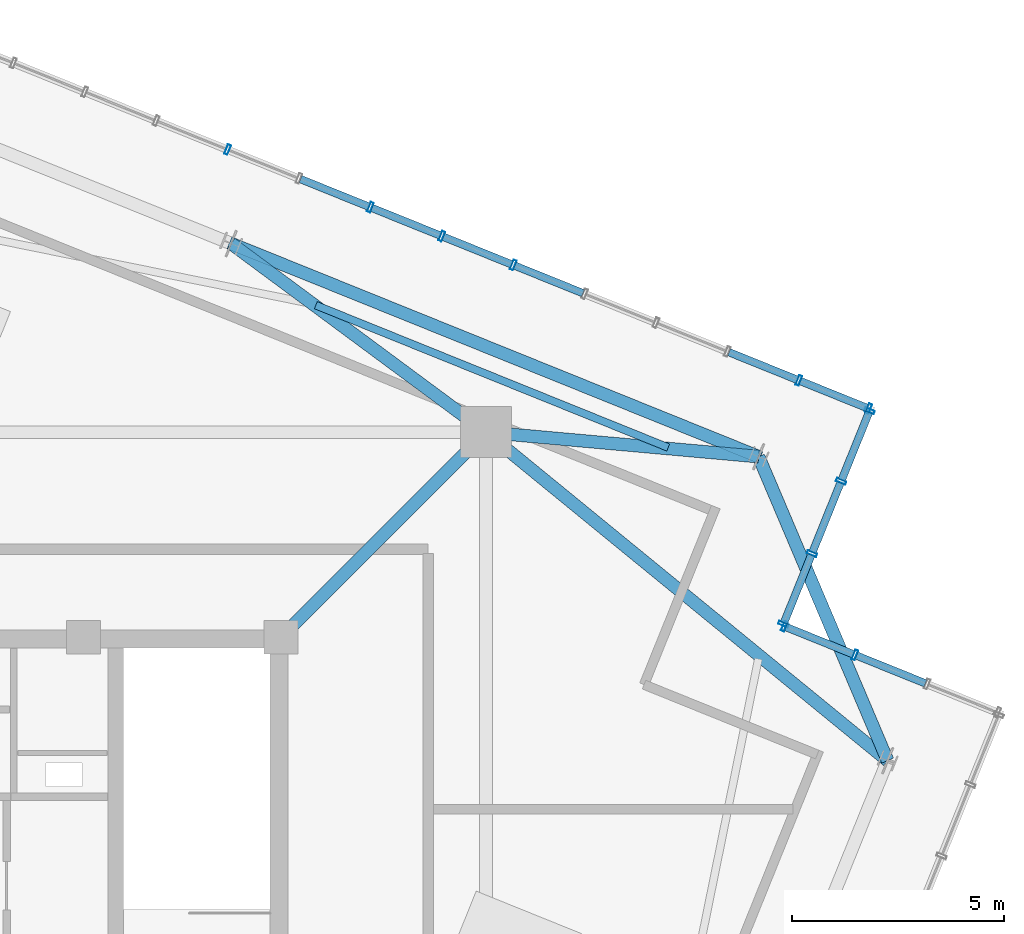
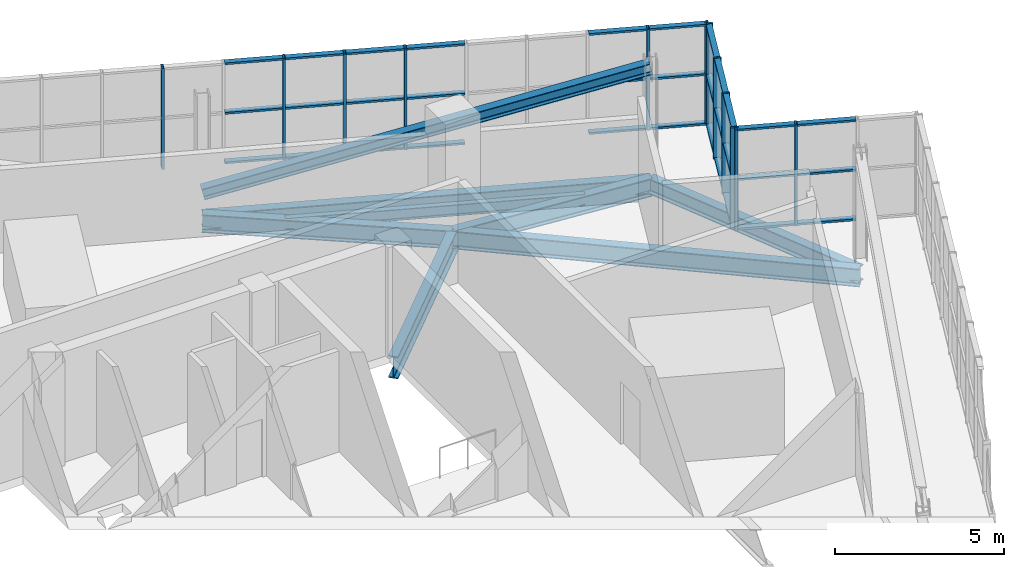
# One storey, part 16 of 26: 46 members, 7 beams, 3 elements without a shape of their own.
"""IFC4 building model written with IfcOpenShell, lengths in metres."""

from ifc_helpers import new_model, si_unit, direction, frame, origin, origin_2d, place, context, subcontext, project, spatial, hollow_rectangle, i_section, extrude, source, transform, mapped, material, layer, layer_set, material_profile, profile_set, type_object, element, aggregate, save


model = new_model("IFC4")

# Units and contexts
model_context = context("Model", 3, precision=1e-05, world=origin(), true_north=direction((0.0, 1.0)))
body_context = subcontext(model_context, "Body", "Model", "MODEL_VIEW")
ifc_project = project(units=[si_unit("LENGTHUNIT", "METRE"), si_unit("AREAUNIT", "SQUARE_METRE"), si_unit("VOLUMEUNIT", "CUBIC_METRE"), si_unit("PLANEANGLEUNIT", "RADIAN"), si_unit("MASSUNIT", "GRAM", prefix="KILO"), si_unit("THERMODYNAMICTEMPERATUREUNIT", "KELVIN")], contexts=[model_context])

# Site, building, storey
site_placement = place(None, origin())
site = spatial("IfcSite", under=ifc_project, at=site_placement, CompositionType="ELEMENT")
building_placement = place(site_placement, origin())
building = spatial("IfcBuilding", under=site, at=building_placement, Name="Kosmvard Interchange Tower", CompositionType="ELEMENT")
storey_placement = place(building_placement, frame((0.0, 0.0, 341.60009765625)))
storey = spatial("IfcBuildingStorey", under=building, at=storey_placement, Name="L84", CompositionType="ELEMENT", Elevation=341.60009765625)

# Beam
ifc_material_1 = material(Name="Steel S355", Category="steel")
ifc_material_profile_1 = material_profile(ifc_material_1, i_section(OverallWidth=0.300048828125, OverallDepth=0.800048828125, WebThickness=0.017578125, FlangeThickness=0.032958984375, FilletRadius=0.027099609375, at=origin_2d()), Name="HEB 800")
ifc_profile_set_1 = profile_set([ifc_material_profile_1], Name="Steel S355")
beam_type_1 = type_object("IfcBeamType", Name="Primary Mega-Frame Girder HEB 800 S355", PredefinedType="BEAM", material=ifc_profile_set_1)
shared_shape_1 = source(origin(), body_context, "Body", "SweptSolid", [
    extrude(i_section(OverallWidth=0.300048828125, OverallDepth=0.800048828125, WebThickness=0.017578125, FlangeThickness=0.032958984375, FilletRadius=0.027099609375, at=origin_2d()), origin(), (0.0, 0.0, 1.0), 6.83203125),
])
beam_1_placement = place(storey_placement, frame((8.25, 8.25, -0.7001953125), z_axis=(0.707106781187, 0.707106781187, 0.0), x_axis=(-0.707106781187, 0.707106781187, 0.0)))
element("IfcBeam", 1, at=beam_1_placement, inside=storey, type_object=beam_type_1, Name="L84 Radial Mega-Frame Girder 3", PredefinedType="BEAM", context=body_context, shape_type="MappedRepresentation", body=[
    mapped(shared_shape_1, transform((0.0, 0.0, 0.0), scale=1.0)),
])

# Member
ifc_material_profile_2 = material_profile(ifc_material_1, i_section(OverallWidth=0.300048828125, OverallDepth=0.39990234375, WebThickness=0.013427734375, FlangeThickness=0.02392578125, FilletRadius=0.027099609375, at=origin_2d()), Name="HEB 400")
ifc_profile_set_2 = profile_set([ifc_material_profile_2], Name="Steel S355")
member_type_1 = type_object("IfcMemberType", Name="Lantern Crown Diagrid Brace HEB 400 S355", PredefinedType="BRACE", material=ifc_profile_set_2)
shared_shape_2 = source(origin(), body_context, "Body", "SweptSolid", [
    extrude(i_section(OverallWidth=0.300048828125, OverallDepth=0.39990234375, WebThickness=0.013427734375, FlangeThickness=0.02392578125, FilletRadius=0.027099609375, at=origin_2d()), origin(), (0.0, 0.0, 1.0), 13.78369140625),
])
member_1_placement = place(storey_placement, frame((7.080078125, 17.523681640625, 0.419921875), z_axis=(0.901373372792, -0.364162635972, 0.234332279859), x_axis=(0.374592580972, 0.927189515839, 0.0)))
element("IfcMember", 2, at=member_1_placement, inside=storey, type_object=member_type_1, Name="L84 Crown Lantern Diagrid Brace E1", PredefinedType="BRACE", context=body_context, shape_type="MappedRepresentation", body=[
    mapped(shared_shape_2, transform((0.0, 0.0, 0.0), scale=1.0)),
])

# Beams
ifc_material_profile_3 = material_profile(ifc_material_1, i_section(OverallWidth=0.300048828125, OverallDepth=0.550048828125, WebThickness=0.014892578125, FlangeThickness=0.029052734375, FilletRadius=0.027099609375, at=origin_2d()), Name="HEB 550")
ifc_profile_set_3 = profile_set([ifc_material_profile_3], Name="Steel S355")
beam_type_2 = type_object("IfcBeamType", Name="Crown Ring Cap Girder HEB 550 S355", PredefinedType="BEAM", material=ifc_profile_set_3)
shared_shape_3 = source(origin(), body_context, "Body", "SweptSolid", [
    extrude(i_section(OverallWidth=0.300048828125, OverallDepth=0.550048828125, WebThickness=0.014892578125, FlangeThickness=0.029052734375, FilletRadius=0.027099609375, at=origin_2d()), origin(), (0.0, 0.0, 1.0), 13.39990234375),
])
beam_2_placement = place(storey_placement, frame((19.50439453125, 12.504150390625, -0.5751953125), z_axis=(-0.927189515839, 0.374592580972, 0.0), x_axis=(-0.374592580972, -0.927189515839, 0.0)))
element("IfcBeam", 3, at=beam_2_placement, inside=storey, type_object=beam_type_2, Name="BM-L84-PR04", PredefinedType="BEAM", context=body_context, shape_type="MappedRepresentation", body=[
    mapped(shared_shape_3, transform((0.0, 0.0, 0.0), scale=1.0)),
])
ifc_material_profile_4 = material_profile(ifc_material_1, i_section(OverallWidth=0.300048828125, OverallDepth=0.64990234375, WebThickness=0.01611328125, FlangeThickness=0.031005859375, FilletRadius=0.027099609375, at=origin_2d()), Name="HEB 650")
ifc_profile_set_4 = profile_set([ifc_material_profile_4], Name="Steel S355")
beam_type_3 = type_object("IfcBeamType", Name="Primary Floor Girder HEB 650 S355", PredefinedType="BEAM", material=ifc_profile_set_4)
shared_shape_4 = source(origin(), body_context, "Body", "SweptSolid", [
    extrude(i_section(OverallWidth=0.300048828125, OverallDepth=0.64990234375, WebThickness=0.01611328125, FlangeThickness=0.031005859375, FilletRadius=0.027099609375, at=origin_2d()), origin(), (0.0, 0.0, 1.0), 6.44921875),
])
beam_3_placement = place(storey_placement, frame((13.0810546875, 13.0810546875, -0.625), z_axis=(0.995990982197, -0.089453694068, 0.0), x_axis=(0.089453694068, 0.995990982197, 0.0)))
element("IfcBeam", 4, at=beam_3_placement, inside=storey, type_object=beam_type_3, Name="BM-L84-RD04", PredefinedType="BEAM", context=body_context, shape_type="MappedRepresentation", body=[
    mapped(shared_shape_4, transform((0.0, 0.0, 0.0), scale=1.0)),
])
shared_shape_5 = source(origin(), body_context, "Body", "SweptSolid", [
    extrude(i_section(OverallWidth=0.300048828125, OverallDepth=0.64990234375, WebThickness=0.01611328125, FlangeThickness=0.031005859375, FilletRadius=0.027099609375, at=origin_2d()), origin(), (0.0, 0.0, 1.0), 7.466552734375),
])
beam_4_placement = place(storey_placement, frame((13.0810546875, 13.0810546875, -0.625), z_axis=(-0.803719929879, 0.595007793491, 0.0), x_axis=(-0.595007793491, -0.803719929879, 0.0)))
element("IfcBeam", 5, at=beam_4_placement, inside=storey, type_object=beam_type_3, Name="BM-L84-RD05", PredefinedType="BEAM", context=body_context, shape_type="MappedRepresentation", body=[
    mapped(shared_shape_5, transform((0.0, 0.0, 0.0), scale=1.0)),
])
shared_shape_6 = source(origin(), body_context, "Body", "SweptSolid", [
    extrude(i_section(OverallWidth=0.300048828125, OverallDepth=0.550048828125, WebThickness=0.014892578125, FlangeThickness=0.029052734375, FilletRadius=0.027099609375, at=origin_2d()), origin(), (0.0, 0.0, 1.0), 7.778076171875),
])
beam_5_placement = place(storey_placement, frame((22.54345703125, 5.34423828125, -0.5751953125), z_axis=(-0.39071589075, 0.92051132134, 0.0), x_axis=(-0.92051132134, -0.39071589075, 0.0)))
element("IfcBeam", 6, at=beam_5_placement, inside=storey, type_object=beam_type_2, Name="BM-L84-PR03", PredefinedType="BEAM", context=body_context, shape_type="MappedRepresentation", body=[
    mapped(shared_shape_6, transform((0.0, 0.0, 0.0), scale=1.0)),
])
shared_shape_7 = source(origin(), body_context, "Body", "SweptSolid", [
    extrude(i_section(OverallWidth=0.300048828125, OverallDepth=0.64990234375, WebThickness=0.01611328125, FlangeThickness=0.031005859375, FilletRadius=0.027099609375, at=origin_2d()), origin(), (0.0, 0.0, 1.0), 12.22265625),
])
beam_6_placement = place(storey_placement, frame((13.0810546875, 13.0810546875, -0.625), z_axis=(0.774163725034, -0.632985408079, 0.0), x_axis=(0.632985408079, 0.774163725034, 0.0)))
element("IfcBeam", 7, at=beam_6_placement, inside=storey, type_object=beam_type_3, Name="BM-L84-RD03", PredefinedType="BEAM", context=body_context, shape_type="MappedRepresentation", body=[
    mapped(shared_shape_7, transform((0.0, 0.0, 0.0), scale=1.0)),
])
ifc_material_profile_5 = material_profile(ifc_material_1, i_section(OverallWidth=0.179931640625, OverallDepth=0.39990234375, WebThickness=0.008544921875, FlangeThickness=0.013427734375, FilletRadius=0.02099609375, at=origin_2d()), Name="IPE 400")
ifc_profile_set_5 = profile_set([ifc_material_profile_5], Name="Steel S355")
beam_type_4 = type_object("IfcBeamType", Name="Upper-Zone Floor Joist IPE 400 S355", PredefinedType="JOIST", material=ifc_profile_set_5)
shared_shape_8 = source(origin(), body_context, "Body", "SweptSolid", [
    extrude(i_section(OverallWidth=0.179931640625, OverallDepth=0.39990234375, WebThickness=0.008544921875, FlangeThickness=0.013427734375, FilletRadius=0.02099609375, at=origin_2d()), origin(), (0.0, 0.0, 1.0), 8.9521484375),
])
beam_7_placement = place(storey_placement, frame((17.374755859375, 12.71875, -0.5), z_axis=(-0.927194118723, 0.374581187736, 0.0), x_axis=(-0.374581187736, -0.927194118723, 0.0)))
element("IfcBeam", 8, at=beam_7_placement, inside=storey, type_object=beam_type_4, Name="BM-L84-FJ03", PredefinedType="JOIST", context=body_context, shape_type="MappedRepresentation", body=[
    mapped(shared_shape_8, transform((0.0, 0.0, 0.0), scale=1.0)),
])

# Curtain wall, members
ifc_material_2 = material(Name="Architectural anodised aluminium", Category="aluminium")
ifc_layer = layer(ifc_material_2, 0.25, Name="Architectural anodised aluminium")
ifc_layer_set = layer_set([ifc_layer], Name="Architectural anodised aluminium")
curtain_wall_type = type_object("IfcCurtainWallType", Name="CW-6 Illuminated Crown Lantern Curtain Wall", PredefinedType="NOTDEFINED", material=ifc_layer_set)
curtain_wall_1_placement = place(storey_placement, origin())
curtain_wall_1 = element("IfcCurtainWall", 9, at=curtain_wall_1_placement, inside=storey, type_object=curtain_wall_type, Name="L84 Crown Lantern Glazing Face 04", PredefinedType="NOTDEFINED")
ifc_material_profile_6 = material_profile(ifc_material_2, hollow_rectangle(XDim=0.179931640625, YDim=0.070068359375, WallThickness=0.0048828125, at=origin_2d()), Name="CWT 180x70x5")
ifc_profile_set_6 = profile_set([ifc_material_profile_6], Name="Architectural anodised aluminium")
member_type_2 = type_object("IfcMemberType", Name="Heavy Lantern CW Transom 180x70 Aluminium", PredefinedType="USERDEFINED", material=ifc_profile_set_6)
shared_shape_9 = source(origin(), body_context, "Body", "SweptSolid", [
    extrude(hollow_rectangle(XDim=0.179931640625, YDim=0.070068359375, WallThickness=0.0048828125, at=origin_2d()), origin(), (0.0, 0.0, 1.0), 1.694091796875),
])
member_2_placement = place(storey_placement, frame((22.059814453125, 13.650146484375, 0.034912109375), z_axis=(-0.927159064032, 0.374667946298, 0.0), x_axis=(-0.374667946298, -0.927159064032, 0.0)))
member_2 = element("IfcMember", 10, at=member_2_placement, type_object=member_type_2, Name="CW-6 transom 1.1", ObjectType="TRANSOM", PredefinedType="USERDEFINED", context=body_context, shape_type="MappedRepresentation", body=[
    mapped(shared_shape_9, transform((0.0, 0.0, 0.0), scale=1.0)),
])
member_3_placement = place(storey_placement, frame((22.059814453125, 13.650146484375, 1.824951171875), z_axis=(-0.927159064032, 0.374667946298, 0.0), x_axis=(-0.374667946298, -0.927159064032, 0.0)))
member_3 = element("IfcMember", 11, at=member_3_placement, type_object=member_type_2, Name="CW-6 transom 1.2", ObjectType="TRANSOM", PredefinedType="USERDEFINED", context=body_context, shape_type="MappedRepresentation", body=[
    mapped(shared_shape_9, transform((0.0, 0.0, 0.0), scale=1.0)),
])
member_4_placement = place(storey_placement, frame((22.059814453125, 13.650146484375, 3.614990234375), z_axis=(-0.927159064032, 0.374667946298, 0.0), x_axis=(-0.374667946298, -0.927159064032, 0.0)))
member_4 = element("IfcMember", 12, at=member_4_placement, type_object=member_type_2, Name="CW-6 transom 1.3", ObjectType="TRANSOM", PredefinedType="USERDEFINED", context=body_context, shape_type="MappedRepresentation", body=[
    mapped(shared_shape_9, transform((0.0, 0.0, 0.0), scale=1.0)),
])
shared_shape_10 = source(origin(), body_context, "Body", "SweptSolid", [
    extrude(hollow_rectangle(XDim=0.179931640625, YDim=0.070068359375, WallThickness=0.0048828125, at=origin_2d()), origin(), (0.0, 0.0, 1.0), 1.734130859375),
])
member_5_placement = place(storey_placement, frame((20.414794921875, 14.314697265625, 0.034912109375), z_axis=(-0.927179782522, 0.374616671924, 0.0), x_axis=(-0.374616671924, -0.927179782522, 0.0)))
member_5 = element("IfcMember", 13, at=member_5_placement, type_object=member_type_2, Name="CW-6 transom 2.1", ObjectType="TRANSOM", PredefinedType="USERDEFINED", context=body_context, shape_type="MappedRepresentation", body=[
    mapped(shared_shape_10, transform((0.0, 0.0, 0.0), scale=1.0)),
])
member_6_placement = place(storey_placement, frame((20.414794921875, 14.314697265625, 1.824951171875), z_axis=(-0.927179782522, 0.374616671924, 0.0), x_axis=(-0.374616671924, -0.927179782522, 0.0)))
member_6 = element("IfcMember", 14, at=member_6_placement, type_object=member_type_2, Name="CW-6 transom 2.2", ObjectType="TRANSOM", PredefinedType="USERDEFINED", context=body_context, shape_type="MappedRepresentation", body=[
    mapped(shared_shape_10, transform((0.0, 0.0, 0.0), scale=1.0)),
])
member_7_placement = place(storey_placement, frame((20.414794921875, 14.314697265625, 3.614990234375), z_axis=(-0.927179782522, 0.374616671924, 0.0), x_axis=(-0.374616671924, -0.927179782522, 0.0)))
member_7 = element("IfcMember", 15, at=member_7_placement, type_object=member_type_2, Name="CW-6 transom 2.3", ObjectType="TRANSOM", PredefinedType="USERDEFINED", context=body_context, shape_type="MappedRepresentation", body=[
    mapped(shared_shape_10, transform((0.0, 0.0, 0.0), scale=1.0)),
])
member_8_placement = place(storey_placement, frame((15.368896484375, 16.353515625, 0.034912109375), z_axis=(-0.927179782522, 0.374616671924, 0.0), x_axis=(-0.374616671924, -0.927179782522, 0.0)))
member_8 = element("IfcMember", 16, at=member_8_placement, type_object=member_type_2, Name="CW-6 transom 5.1", ObjectType="TRANSOM", PredefinedType="USERDEFINED", context=body_context, shape_type="MappedRepresentation", body=[
    mapped(shared_shape_10, transform((0.0, 0.0, 0.0), scale=1.0)),
])
member_9_placement = place(storey_placement, frame((15.368896484375, 16.353515625, 1.824951171875), z_axis=(-0.927179782522, 0.374616671924, 0.0), x_axis=(-0.374616671924, -0.927179782522, 0.0)))
member_9 = element("IfcMember", 17, at=member_9_placement, type_object=member_type_2, Name="CW-6 transom 5.2", ObjectType="TRANSOM", PredefinedType="USERDEFINED", context=body_context, shape_type="MappedRepresentation", body=[
    mapped(shared_shape_10, transform((0.0, 0.0, 0.0), scale=1.0)),
])
member_10_placement = place(storey_placement, frame((15.368896484375, 16.353515625, 3.614990234375), z_axis=(-0.927179782522, 0.374616671924, 0.0), x_axis=(-0.374616671924, -0.927179782522, 0.0)))
member_10 = element("IfcMember", 18, at=member_10_placement, type_object=member_type_2, Name="CW-6 transom 5.3", ObjectType="TRANSOM", PredefinedType="USERDEFINED", context=body_context, shape_type="MappedRepresentation", body=[
    mapped(shared_shape_10, transform((0.0, 0.0, 0.0), scale=1.0)),
])
member_11_placement = place(storey_placement, frame((13.686767578125, 17.033203125, 0.034912109375), z_axis=(-0.927179782522, 0.374616671924, 0.0), x_axis=(-0.374616671924, -0.927179782522, 0.0)))
member_11 = element("IfcMember", 19, at=member_11_placement, type_object=member_type_2, Name="CW-6 transom 6.1", ObjectType="TRANSOM", PredefinedType="USERDEFINED", context=body_context, shape_type="MappedRepresentation", body=[
    mapped(shared_shape_10, transform((0.0, 0.0, 0.0), scale=1.0)),
])
member_12_placement = place(storey_placement, frame((13.686767578125, 17.033203125, 1.824951171875), z_axis=(-0.927179782522, 0.374616671924, 0.0), x_axis=(-0.374616671924, -0.927179782522, 0.0)))
member_12 = element("IfcMember", 20, at=member_12_placement, type_object=member_type_2, Name="CW-6 transom 6.2", ObjectType="TRANSOM", PredefinedType="USERDEFINED", context=body_context, shape_type="MappedRepresentation", body=[
    mapped(shared_shape_10, transform((0.0, 0.0, 0.0), scale=1.0)),
])
member_13_placement = place(storey_placement, frame((13.686767578125, 17.033203125, 3.614990234375), z_axis=(-0.927179782522, 0.374616671924, 0.0), x_axis=(-0.374616671924, -0.927179782522, 0.0)))
member_13 = element("IfcMember", 21, at=member_13_placement, type_object=member_type_2, Name="CW-6 transom 6.3", ObjectType="TRANSOM", PredefinedType="USERDEFINED", context=body_context, shape_type="MappedRepresentation", body=[
    mapped(shared_shape_10, transform((0.0, 0.0, 0.0), scale=1.0)),
])
member_14_placement = place(storey_placement, frame((10.32275390625, 18.392333984375, 0.034912109375), z_axis=(-0.927179782522, 0.374616671924, 0.0), x_axis=(-0.374616671924, -0.927179782522, 0.0)))
member_14 = element("IfcMember", 22, at=member_14_placement, type_object=member_type_2, Name="CW-6 transom 8.1", ObjectType="TRANSOM", PredefinedType="USERDEFINED", context=body_context, shape_type="MappedRepresentation", body=[
    mapped(shared_shape_10, transform((0.0, 0.0, 0.0), scale=1.0)),
])
member_15_placement = place(storey_placement, frame((10.32275390625, 18.392333984375, 1.824951171875), z_axis=(-0.927179782522, 0.374616671924, 0.0), x_axis=(-0.374616671924, -0.927179782522, 0.0)))
member_15 = element("IfcMember", 23, at=member_15_placement, type_object=member_type_2, Name="CW-6 transom 8.2", ObjectType="TRANSOM", PredefinedType="USERDEFINED", context=body_context, shape_type="MappedRepresentation", body=[
    mapped(shared_shape_10, transform((0.0, 0.0, 0.0), scale=1.0)),
])
member_16_placement = place(storey_placement, frame((10.32275390625, 18.392333984375, 3.614990234375), z_axis=(-0.927179782522, 0.374616671924, 0.0), x_axis=(-0.374616671924, -0.927179782522, 0.0)))
member_16 = element("IfcMember", 24, at=member_16_placement, type_object=member_type_2, Name="CW-6 transom 8.3", ObjectType="TRANSOM", PredefinedType="USERDEFINED", context=body_context, shape_type="MappedRepresentation", body=[
    mapped(shared_shape_10, transform((0.0, 0.0, 0.0), scale=1.0)),
])
shared_shape_11 = source(origin(), body_context, "Body", "SweptSolid", [
    extrude(hollow_rectangle(XDim=0.179931640625, YDim=0.070068359375, WallThickness=0.0048828125, at=origin_2d()), origin(), (0.0, 0.0, 1.0), 1.73388671875),
])
member_17_placement = place(storey_placement, frame((12.004638671875, 17.712646484375, 0.034912109375), z_axis=(-0.927160021861, 0.374665576032, 0.0), x_axis=(-0.374665576032, -0.927160021861, 0.0)))
member_17 = element("IfcMember", 25, at=member_17_placement, type_object=member_type_2, Name="CW-6 transom 7.1", ObjectType="TRANSOM", PredefinedType="USERDEFINED", context=body_context, shape_type="MappedRepresentation", body=[
    mapped(shared_shape_11, transform((0.0, 0.0, 0.0), scale=1.0)),
])
member_18_placement = place(storey_placement, frame((12.004638671875, 17.712646484375, 1.824951171875), z_axis=(-0.927160021861, 0.374665576032, 0.0), x_axis=(-0.374665576032, -0.927160021861, 0.0)))
member_18 = element("IfcMember", 26, at=member_18_placement, type_object=member_type_2, Name="CW-6 transom 7.2", ObjectType="TRANSOM", PredefinedType="USERDEFINED", context=body_context, shape_type="MappedRepresentation", body=[
    mapped(shared_shape_11, transform((0.0, 0.0, 0.0), scale=1.0)),
])
member_19_placement = place(storey_placement, frame((12.004638671875, 17.712646484375, 3.614990234375), z_axis=(-0.927160021861, 0.374665576032, 0.0), x_axis=(-0.374665576032, -0.927160021861, 0.0)))
member_19 = element("IfcMember", 27, at=member_19_placement, type_object=member_type_2, Name="CW-6 transom 7.3", ObjectType="TRANSOM", PredefinedType="USERDEFINED", context=body_context, shape_type="MappedRepresentation", body=[
    mapped(shared_shape_11, transform((0.0, 0.0, 0.0), scale=1.0)),
])

curtain_wall_2_placement = place(storey_placement, origin())
curtain_wall_2 = element("IfcCurtainWall", 28, at=curtain_wall_2_placement, inside=storey, type_object=curtain_wall_type, Name="L84 Crown Lantern Glazing Face 02", PredefinedType="NOTDEFINED")
shared_shape_12 = source(origin(), body_context, "Body", "SweptSolid", [
    extrude(hollow_rectangle(XDim=0.179931640625, YDim=0.070068359375, WallThickness=0.0048828125, at=origin_2d()), origin(), (0.0, 0.0, 1.0), 1.71337890625),
])
member_20_placement = place(storey_placement, frame((21.736328125, 7.848876953125, 0.034912109375), z_axis=(-0.927183787829, 0.374606758599, 0.0), x_axis=(-0.374606758599, -0.927183787829, 0.0)))
member_20 = element("IfcMember", 29, at=member_20_placement, type_object=member_type_2, Name="CW-6 transom 3.1", ObjectType="TRANSOM", PredefinedType="USERDEFINED", context=body_context, shape_type="MappedRepresentation", body=[
    mapped(shared_shape_12, transform((0.0, 0.0, 0.0), scale=1.0)),
])
member_21_placement = place(storey_placement, frame((21.736328125, 7.848876953125, 1.824951171875), z_axis=(-0.927183787829, 0.374606758599, 0.0), x_axis=(-0.374606758599, -0.927183787829, 0.0)))
member_21 = element("IfcMember", 30, at=member_21_placement, type_object=member_type_2, Name="CW-6 transom 3.2", ObjectType="TRANSOM", PredefinedType="USERDEFINED", context=body_context, shape_type="MappedRepresentation", body=[
    mapped(shared_shape_12, transform((0.0, 0.0, 0.0), scale=1.0)),
])
member_22_placement = place(storey_placement, frame((21.736328125, 7.848876953125, 3.614990234375), z_axis=(-0.927183787829, 0.374606758599, 0.0), x_axis=(-0.374606758599, -0.927183787829, 0.0)))
member_22 = element("IfcMember", 31, at=member_22_placement, type_object=member_type_2, Name="CW-6 transom 3.3", ObjectType="TRANSOM", PredefinedType="USERDEFINED", context=body_context, shape_type="MappedRepresentation", body=[
    mapped(shared_shape_12, transform((0.0, 0.0, 0.0), scale=1.0)),
])

curtain_wall_3_placement = place(storey_placement, origin())
curtain_wall_3 = element("IfcCurtainWall", 32, at=curtain_wall_3_placement, inside=storey, type_object=curtain_wall_type, Name="L84 Crown Lantern Glazing Face 03", PredefinedType="NOTDEFINED")
member_23_placement = place(storey_placement, frame((20.103515625, 8.594970703125, 0.034912109375), z_axis=(0.374606758599, 0.927183787829, 0.0), x_axis=(-0.927183787829, 0.374606758599, 0.0)))
member_23 = element("IfcMember", 33, at=member_23_placement, type_object=member_type_2, Name="CW-6 transom 1.1", ObjectType="TRANSOM", PredefinedType="USERDEFINED", context=body_context, shape_type="MappedRepresentation", body=[
    mapped(shared_shape_12, transform((0.0, 0.0, 0.0), scale=1.0)),
])
member_24_placement = place(storey_placement, frame((20.103515625, 8.594970703125, 1.824951171875), z_axis=(0.374606758599, 0.927183787829, 0.0), x_axis=(-0.927183787829, 0.374606758599, 0.0)))
member_24 = element("IfcMember", 34, at=member_24_placement, type_object=member_type_2, Name="CW-6 transom 1.2", ObjectType="TRANSOM", PredefinedType="USERDEFINED", context=body_context, shape_type="MappedRepresentation", body=[
    mapped(shared_shape_12, transform((0.0, 0.0, 0.0), scale=1.0)),
])
member_25_placement = place(storey_placement, frame((20.103515625, 8.594970703125, 3.614990234375), z_axis=(0.374606758599, 0.927183787829, 0.0), x_axis=(-0.927183787829, 0.374606758599, 0.0)))
member_25 = element("IfcMember", 35, at=member_25_placement, type_object=member_type_2, Name="CW-6 transom 1.3", ObjectType="TRANSOM", PredefinedType="USERDEFINED", context=body_context, shape_type="MappedRepresentation", body=[
    mapped(shared_shape_12, transform((0.0, 0.0, 0.0), scale=1.0)),
])
member_26_placement = place(storey_placement, frame((21.462158203125, 11.95751953125, 0.034912109375), z_axis=(0.374606758599, 0.927183787829, 0.0), x_axis=(-0.927183787829, 0.374606758599, 0.0)))
member_26 = element("IfcMember", 36, at=member_26_placement, type_object=member_type_2, Name="CW-6 transom 3.1", ObjectType="TRANSOM", PredefinedType="USERDEFINED", context=body_context, shape_type="MappedRepresentation", body=[
    mapped(shared_shape_12, transform((0.0, 0.0, 0.0), scale=1.0)),
])
member_27_placement = place(storey_placement, frame((21.462158203125, 11.95751953125, 1.824951171875), z_axis=(0.374606758599, 0.927183787829, 0.0), x_axis=(-0.927183787829, 0.374606758599, 0.0)))
member_27 = element("IfcMember", 37, at=member_27_placement, type_object=member_type_2, Name="CW-6 transom 3.2", ObjectType="TRANSOM", PredefinedType="USERDEFINED", context=body_context, shape_type="MappedRepresentation", body=[
    mapped(shared_shape_12, transform((0.0, 0.0, 0.0), scale=1.0)),
])
member_28_placement = place(storey_placement, frame((21.462158203125, 11.95751953125, 3.614990234375), z_axis=(0.374606758599, 0.927183787829, 0.0), x_axis=(-0.927183787829, 0.374606758599, 0.0)))
member_28 = element("IfcMember", 38, at=member_28_placement, type_object=member_type_2, Name="CW-6 transom 3.3", ObjectType="TRANSOM", PredefinedType="USERDEFINED", context=body_context, shape_type="MappedRepresentation", body=[
    mapped(shared_shape_12, transform((0.0, 0.0, 0.0), scale=1.0)),
])

# Member
shared_shape_13 = source(origin(), body_context, "Body", "SweptSolid", [
    extrude(hollow_rectangle(XDim=0.179931640625, YDim=0.070068359375, WallThickness=0.0048828125, at=origin_2d()), origin(), (0.0, 0.0, 1.0), 1.75341796875),
])
member_29_placement = place(storey_placement, frame((23.436279296875, 7.162109375, 0.034912109375), z_axis=(-0.927155350429, 0.374677135907, 0.0), x_axis=(-0.374677135907, -0.927155350429, 0.0)))
member_29 = element("IfcMember", 39, at=member_29_placement, type_object=member_type_2, Name="CW-6 transom 2.1", ObjectType="TRANSOM", PredefinedType="USERDEFINED", context=body_context, shape_type="MappedRepresentation", body=[
    mapped(shared_shape_13, transform((0.0, 0.0, 0.0), scale=1.0)),
])

member_30_placement = place(storey_placement, frame((23.436279296875, 7.162109375, 1.824951171875), z_axis=(-0.927155350429, 0.374677135907, 0.0), x_axis=(-0.374677135907, -0.927155350429, 0.0)))
member_30 = element("IfcMember", 40, at=member_30_placement, type_object=member_type_2, Name="CW-6 transom 2.2", ObjectType="TRANSOM", PredefinedType="USERDEFINED", context=body_context, shape_type="MappedRepresentation", body=[
    mapped(shared_shape_13, transform((0.0, 0.0, 0.0), scale=1.0)),
])

member_31_placement = place(storey_placement, frame((23.436279296875, 7.162109375, 3.614990234375), z_axis=(-0.927155350429, 0.374677135907, 0.0), x_axis=(-0.374677135907, -0.927155350429, 0.0)))
member_31 = element("IfcMember", 41, at=member_31_placement, type_object=member_type_2, Name="CW-6 transom 2.3", ObjectType="TRANSOM", PredefinedType="USERDEFINED", context=body_context, shape_type="MappedRepresentation", body=[
    mapped(shared_shape_13, transform((0.0, 0.0, 0.0), scale=1.0)),
])

member_32_placement = place(storey_placement, frame((20.775390625, 10.257568359375, 0.034912109375), z_axis=(0.37455743912, 0.927203712676, 0.0), x_axis=(-0.927203712676, 0.37455743912, 0.0)))
member_32 = element("IfcMember", 42, at=member_32_placement, type_object=member_type_2, Name="CW-6 transom 2.1", ObjectType="TRANSOM", PredefinedType="USERDEFINED", context=body_context, shape_type="MappedRepresentation", body=[
    mapped(shared_shape_13, transform((0.0, 0.0, 0.0), scale=1.0)),
])

member_33_placement = place(storey_placement, frame((20.775390625, 10.257568359375, 1.824951171875), z_axis=(0.37455743912, 0.927203712676, 0.0), x_axis=(-0.927203712676, 0.37455743912, 0.0)))
member_33 = element("IfcMember", 43, at=member_33_placement, type_object=member_type_2, Name="CW-6 transom 2.2", ObjectType="TRANSOM", PredefinedType="USERDEFINED", context=body_context, shape_type="MappedRepresentation", body=[
    mapped(shared_shape_13, transform((0.0, 0.0, 0.0), scale=1.0)),
])

member_34_placement = place(storey_placement, frame((20.775390625, 10.257568359375, 3.614990234375), z_axis=(0.37455743912, 0.927203712676, 0.0), x_axis=(-0.927203712676, 0.37455743912, 0.0)))
member_34 = element("IfcMember", 44, at=member_34_placement, type_object=member_type_2, Name="CW-6 transom 2.3", ObjectType="TRANSOM", PredefinedType="USERDEFINED", context=body_context, shape_type="MappedRepresentation", body=[
    mapped(shared_shape_13, transform((0.0, 0.0, 0.0), scale=1.0)),
])

ifc_material_profile_7 = material_profile(ifc_material_2, hollow_rectangle(XDim=0.239990234375, YDim=0.080078125, WallThickness=0.006103515625, at=origin_2d()), Name="CWM 240x80x6")
ifc_profile_set_7 = profile_set([ifc_material_profile_7], Name="Architectural anodised aluminium")
member_type_3 = type_object("IfcMemberType", Name="Lantern & Observation CW Mullion 240x80 Aluminium", PredefinedType="MULLION", material=ifc_profile_set_7)
shared_shape_14 = source(origin(), body_context, "Body", "SweptSolid", [
    extrude(hollow_rectangle(XDim=0.239990234375, YDim=0.080078125, WallThickness=0.006103515625, at=origin_2d()), origin(), (0.0, 0.0, 1.0), 3.64990234375),
])
member_35_placement = place(storey_placement, frame((21.7734375, 7.833984375, 0.0), z_axis=(0.0, 0.0, 1.0), x_axis=(-0.374606564822, -0.92718386612, 0.0)))
member_35 = element("IfcMember", 45, at=member_35_placement, type_object=member_type_3, Name="CW-6 mullion 3", PredefinedType="MULLION", context=body_context, shape_type="MappedRepresentation", body=[
    mapped(shared_shape_14, transform((0.0, 0.0, 0.0), scale=1.0)),
])

member_36_placement = place(storey_placement, frame((20.110595703125, 8.505859375, 0.0), z_axis=(0.0, 0.0, 1.0), x_axis=(-0.374606564822, -0.92718386612, 0.0)))
member_36 = element("IfcMember", 46, at=member_36_placement, type_object=member_type_3, Name="CW-6 mullion 4", PredefinedType="MULLION", context=body_context, shape_type="MappedRepresentation", body=[
    mapped(shared_shape_14, transform((0.0, 0.0, 0.0), scale=1.0)),
])

aggregate(curtain_wall_2, [member_35, member_36, member_29, member_30, member_31, member_20, member_21, member_22])

member_37_placement = place(storey_placement, frame((20.088623046875, 8.557861328125, 0.0), z_axis=(0.0, 0.0, 1.0), x_axis=(-0.927183891631, 0.374606501678, 0.0)))
member_37 = element("IfcMember", 47, at=member_37_placement, type_object=member_type_3, Name="CW-6 mullion 1", PredefinedType="MULLION", context=body_context, shape_type="MappedRepresentation", body=[
    mapped(shared_shape_14, transform((0.0, 0.0, 0.0), scale=1.0)),
])

member_38_placement = place(storey_placement, frame((20.760498046875, 10.220458984375, 0.0), z_axis=(0.0, 0.0, 1.0), x_axis=(-0.927183891631, 0.374606501678, 0.0)))
member_38 = element("IfcMember", 48, at=member_38_placement, type_object=member_type_3, Name="CW-6 mullion 2", PredefinedType="MULLION", context=body_context, shape_type="MappedRepresentation", body=[
    mapped(shared_shape_14, transform((0.0, 0.0, 0.0), scale=1.0)),
])

member_39_placement = place(storey_placement, frame((21.447265625, 11.92041015625, 0.0), z_axis=(0.0, 0.0, 1.0), x_axis=(-0.927183891631, 0.374606501678, 0.0)))
member_39 = element("IfcMember", 49, at=member_39_placement, type_object=member_type_3, Name="CW-6 mullion 3", PredefinedType="MULLION", context=body_context, shape_type="MappedRepresentation", body=[
    mapped(shared_shape_14, transform((0.0, 0.0, 0.0), scale=1.0)),
])

member_40_placement = place(storey_placement, frame((22.118896484375, 13.583251953125, 0.0), z_axis=(0.0, 0.0, 1.0), x_axis=(-0.927183891631, 0.374606501678, 0.0)))
member_40 = element("IfcMember", 50, at=member_40_placement, type_object=member_type_3, Name="CW-6 mullion 4", PredefinedType="MULLION", context=body_context, shape_type="MappedRepresentation", body=[
    mapped(shared_shape_14, transform((0.0, 0.0, 0.0), scale=1.0)),
])

aggregate(curtain_wall_3, [member_37, member_38, member_39, member_40, member_23, member_24, member_25, member_32, member_33, member_34, member_26, member_27, member_28])

member_41_placement = place(storey_placement, frame((22.096923828125, 13.63525390625, 0.0), z_axis=(0.0, 0.0, 1.0), x_axis=(-0.374606584758, -0.927183858065, 0.0)))
member_41 = element("IfcMember", 51, at=member_41_placement, type_object=member_type_3, Name="CW-6 mullion 1", PredefinedType="MULLION", context=body_context, shape_type="MappedRepresentation", body=[
    mapped(shared_shape_14, transform((0.0, 0.0, 0.0), scale=1.0)),
])

member_42_placement = place(storey_placement, frame((20.451904296875, 14.2998046875, 0.0), z_axis=(0.0, 0.0, 1.0), x_axis=(-0.374606584758, -0.927183858065, 0.0)))
member_42 = element("IfcMember", 52, at=member_42_placement, type_object=member_type_3, Name="CW-6 mullion 2", PredefinedType="MULLION", context=body_context, shape_type="MappedRepresentation", body=[
    mapped(shared_shape_14, transform((0.0, 0.0, 0.0), scale=1.0)),
])

member_43_placement = place(storey_placement, frame((13.723876953125, 17.01806640625, 0.0), z_axis=(0.0, 0.0, 1.0), x_axis=(-0.374606584758, -0.927183858065, 0.0)))
member_43 = element("IfcMember", 53, at=member_43_placement, type_object=member_type_3, Name="CW-6 mullion 6", PredefinedType="MULLION", context=body_context, shape_type="MappedRepresentation", body=[
    mapped(shared_shape_14, transform((0.0, 0.0, 0.0), scale=1.0)),
])

member_44_placement = place(storey_placement, frame((12.041748046875, 17.69775390625, 0.0), z_axis=(0.0, 0.0, 1.0), x_axis=(-0.374606584758, -0.927183858065, 0.0)))
member_44 = element("IfcMember", 54, at=member_44_placement, type_object=member_type_3, Name="CW-6 mullion 7", PredefinedType="MULLION", context=body_context, shape_type="MappedRepresentation", body=[
    mapped(shared_shape_14, transform((0.0, 0.0, 0.0), scale=1.0)),
])

member_45_placement = place(storey_placement, frame((10.35986328125, 18.377197265625, 0.0), z_axis=(0.0, 0.0, 1.0), x_axis=(-0.374606584758, -0.927183858065, 0.0)))
member_45 = element("IfcMember", 55, at=member_45_placement, type_object=member_type_3, Name="CW-6 mullion 8", PredefinedType="MULLION", context=body_context, shape_type="MappedRepresentation", body=[
    mapped(shared_shape_14, transform((0.0, 0.0, 0.0), scale=1.0)),
])

member_46_placement = place(storey_placement, frame((6.995849609375, 19.736572265625, 0.0), z_axis=(0.0, 0.0, 1.0), x_axis=(-0.374606584758, -0.927183858065, 0.0)))
member_46 = element("IfcMember", 56, at=member_46_placement, type_object=member_type_3, Name="CW-6 mullion 10", PredefinedType="MULLION", context=body_context, shape_type="MappedRepresentation", body=[
    mapped(shared_shape_14, transform((0.0, 0.0, 0.0), scale=1.0)),
])

aggregate(curtain_wall_1, [member_41, member_42, member_43, member_44, member_45, member_46, member_2, member_3, member_4, member_5, member_6, member_7, member_8, member_9, member_10, member_11, member_12, member_13, member_17, member_18, member_19, member_14, member_15, member_16])

save(model, "model.ifc")
